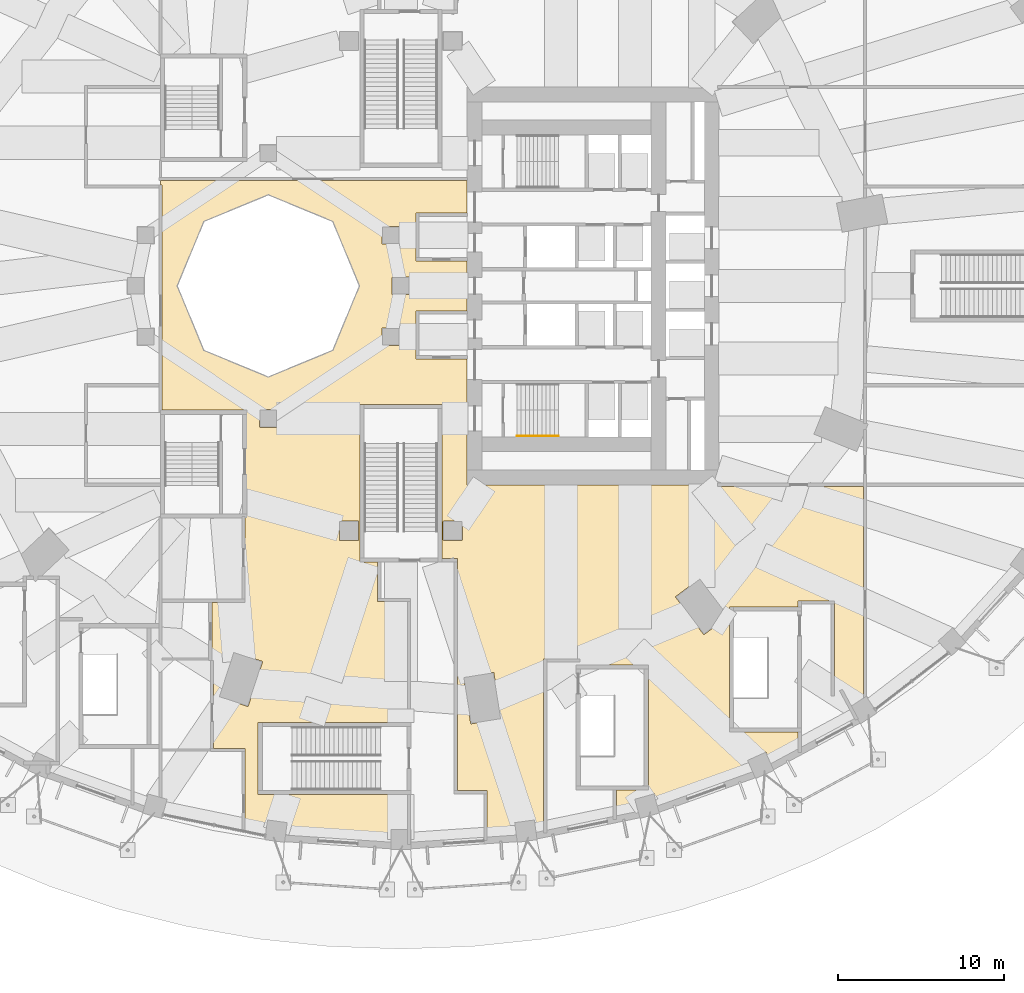
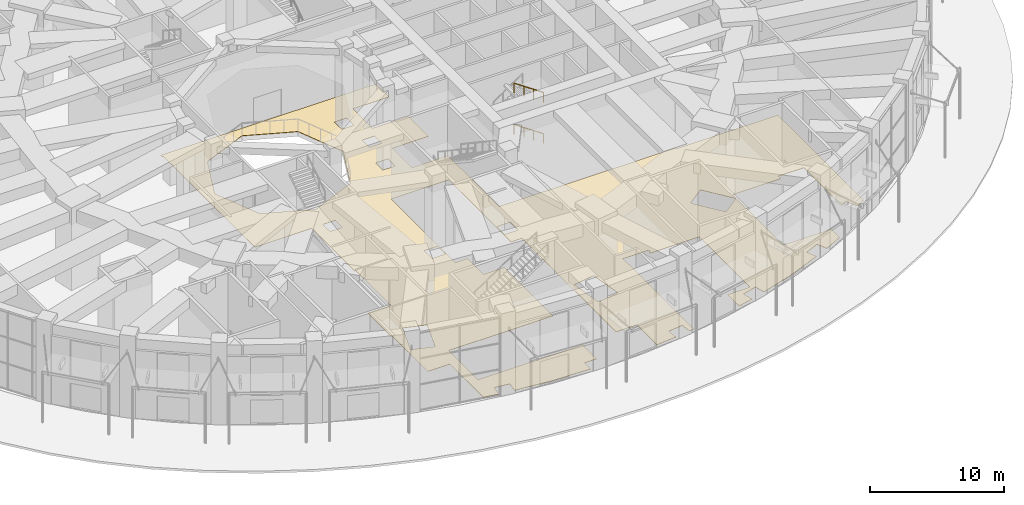
# One storey, part 53 of 60: 2 railings, 1 covering.
"""IFC4 building model written with IfcOpenShell, lengths in metres."""

from ifc_helpers import new_model, si_unit, direction, frame, origin, origin_2d, place, context, subcontext, project, spatial, polyline, circle, outline, extrude, material, layer, layer_set, type_object, element, save


model = new_model("IFC4")

# Units and contexts
model_context = context("Model", 3, precision=1e-05, world=origin(), true_north=direction((0.0, 1.0)))
body_context = subcontext(model_context, "Body", "Model", "MODEL_VIEW")
ifc_project = project(units=[si_unit("LENGTHUNIT", "METRE"), si_unit("AREAUNIT", "SQUARE_METRE"), si_unit("VOLUMEUNIT", "CUBIC_METRE"), si_unit("PLANEANGLEUNIT", "RADIAN"), si_unit("MASSUNIT", "GRAM", prefix="KILO")], contexts=[model_context])

# Site, building, storey
site_placement = place(None, origin())
site = spatial("IfcSite", under=ifc_project, at=site_placement, CompositionType="ELEMENT")
building_placement = place(site_placement, origin())
building = spatial("IfcBuilding", under=site, at=building_placement, Name="Taillehof Tower", CompositionType="ELEMENT")
storey_placement = place(building_placement, origin())
storey = spatial("IfcBuildingStorey", under=building, at=storey_placement, Name="L00", CompositionType="ELEMENT", Elevation=0.0)

# Covering
ifc_material_1 = material(Name="Terrazzo floor finish")
ifc_layer = layer(ifc_material_1, 0.030029296875)
ifc_layer_set = layer_set([ifc_layer], Name="Floor finish 30 mm")
covering_type = type_object("IfcCoveringType", Name="Floor finish 30 mm", PredefinedType="FLOORING", material=ifc_layer_set)
covering_placement = place(storey_placement, origin())
element("IfcCovering", 1, at=covering_placement, inside=storey, type_object=covering_type, Name="Floor finish L00-36", PredefinedType="FLOORING", context=body_context, shape_type="SweptSolid", body=[
    extrude(outline(polyline([(-3.806640625, -33.572021484375), (-6.94970703125, -33.253173828125), (-6.8310546875, -32.383056640625), (-6.830810546875, -32.380126953125), (-6.830810546875, -32.377197265625), (-6.831298828125, -32.374267578125), (-6.831787109375, -32.371337890625), (-6.832763671875, -32.36865234375), (-6.833740234375, -32.365966796875), (-6.835205078125, -32.36328125), (-6.8369140625, -32.36083984375), (-6.8388671875, -32.358642578125), (-6.8408203125, -32.356689453125), (-6.84326171875, -32.354736328125), (-6.845703125, -32.353271484375), (-6.848388671875, -32.351806640625), (-6.85107421875, -32.350830078125), (-6.853759765625, -32.349853515625), (-6.856689453125, -32.349365234375), (-8.0458984375, -32.187255859375), (-8.048828125, -32.18701171875), (-8.0517578125, -32.18701171875), (-8.0546875, -32.1875), (-8.057373046875, -32.18798828125), (-8.060302734375, -32.18896484375), (-8.06298828125, -32.190185546875), (-8.065673828125, -32.19140625), (-8.06787109375, -32.193115234375), (-8.0703125, -32.195068359375), (-8.072265625, -32.197265625), (-8.07421875, -32.199462890625), (-8.07568359375, -32.201904296875), (-8.0771484375, -32.20458984375), (-8.078125, -32.207275390625), (-8.0791015625, -32.210205078125), (-8.07958984375, -32.213134765625), (-8.1982421875, -33.083740234375), (-9.39990234375, -32.87841796875), (-9.39990234375, -28.10009765625), (-9.39990234375, -27.89990234375), (-11.300048828125, -27.89990234375), (-11.300048828125, -22.60009765625), (-11.39990234375, -22.60009765625), (-11.39990234375, -22.5), (-11.39990234375, -19.10009765625), (-9.39990234375, -19.10009765625), (-9.39990234375, -18.89990234375), (-9.39990234375, -13.89990234375), (-9.5, -13.89990234375), (-9.5, -7.5), (-14.39990234375, -7.5), (-14.39990234375, -6.10009765625), (-14.39990234375, 6.10009765625), (-14.5, 6.10009765625), (-14.5, 6.35009765625), (4.0, 6.35009765625), (4.0, 4.39990234375), (1.10009765625, 4.39990234375), (0.89990234375, 4.39990234375), (0.89990234375, 1.699951171875), (0.89990234375, 1.5), (4.0, 1.5), (4.0, -1.5), (1.10009765625, -1.5), (0.89990234375, -1.5), (0.89990234375, -4.199951171875), (0.89990234375, -4.39990234375), (4.0, -4.39990234375), (4.0, -12.0), (19.10009765625, -12.0), (19.10009765625, -12.10009765625), (27.89990234375, -12.10009765625), (27.89990234375, -24.8330078125), (27.16064453125, -25.3125), (26.633056640625, -24.333740234375), (26.544921875, -24.381103515625), (26.14990234375, -24.593994140625), (26.14990234375, -19.199951171875), (26.14990234375, -19.0), (24.14990234375, -19.0), (23.949951171875, -19.0), (23.949951171875, -19.375), (20.074951171875, -19.375), (19.824951171875, -19.375), (19.824951171875, -26.6650390625), (19.824951171875, -26.9150390625), (23.949951171875, -26.9150390625), (23.949951171875, -28.154296875), (22.387939453125, -28.921142578125), (22.031005859375, -28.12060546875), (22.029541015625, -28.117919921875), (22.028076171875, -28.115478515625), (22.026123046875, -28.11328125), (22.024169921875, -28.111083984375), (22.02197265625, -28.109130859375), (22.01953125, -28.107421875), (22.016845703125, -28.10595703125), (22.01416015625, -28.104736328125), (22.011474609375, -28.10400390625), (22.008544921875, -28.103271484375), (22.005615234375, -28.10302734375), (22.002685546875, -28.102783203125), (21.999755859375, -28.10302734375), (21.996826171875, -28.103515625), (21.993896484375, -28.1044921875), (21.9912109375, -28.10546875), (20.895263671875, -28.594482421875), (20.892822265625, -28.595703125), (20.890380859375, -28.59716796875), (20.887939453125, -28.59912109375), (20.8857421875, -28.60107421875), (20.8837890625, -28.603271484375), (20.88232421875, -28.605712890625), (20.880859375, -28.6083984375), (20.879638671875, -28.611083984375), (20.878662109375, -28.61376953125), (20.8779296875, -28.61669921875), (20.877685546875, -28.61962890625), (20.877685546875, -28.62255859375), (20.8779296875, -28.62548828125), (20.87841796875, -28.62841796875), (20.879150390625, -28.63134765625), (20.880126953125, -28.634033203125), (21.236328125, -29.432373046875), (18.4599609375, -30.546142578125), (15.525390625, -31.48291015625), (15.28759765625, -30.6376953125), (15.286865234375, -30.634765625), (15.28564453125, -30.632080078125), (15.2841796875, -30.629638671875), (15.282470703125, -30.627197265625), (15.280517578125, -30.625), (15.2783203125, -30.622802734375), (15.27587890625, -30.62109375), (15.2734375, -30.61962890625), (15.270751953125, -30.6181640625), (15.26806640625, -30.6171875), (15.265380859375, -30.616455078125), (15.262451171875, -30.615966796875), (15.259521484375, -30.61572265625), (15.256591796875, -30.61572265625), (15.253662109375, -30.6162109375), (15.250732421875, -30.61669921875), (14.095458984375, -30.941650390625), (14.0927734375, -30.942626953125), (14.090087890625, -30.94384765625), (14.08740234375, -30.9453125), (14.0849609375, -30.947021484375), (14.082763671875, -30.948974609375), (14.080810546875, -30.951171875), (14.0791015625, -30.953369140625), (14.077392578125, -30.955810546875), (14.076171875, -30.95849609375), (14.0751953125, -30.961181640625), (14.07421875, -30.964111328125), (14.07373046875, -30.967041015625), (14.07373046875, -30.969970703125), (14.07373046875, -30.972900390625), (14.07421875, -30.975830078125), (14.07470703125, -30.978759765625), (14.31201171875, -31.822265625), (12.99853515625, -32.1416015625), (12.99853515625, -30.4150390625), (14.925048828125, -30.4150390625), (14.925048828125, -30.1650390625), (14.925048828125, -23.125), (14.925048828125, -22.875), (10.699951171875, -22.875), (10.699951171875, -22.699951171875), (10.800048828125, -22.699951171875), (10.800048828125, -22.5), (8.800048828125, -22.5), (8.60009765625, -22.5), (8.60009765625, -33.01513671875), (8.1982421875, -33.083740234375), (8.07958984375, -32.213134765625), (8.0791015625, -32.210205078125), (8.078125, -32.207275390625), (8.0771484375, -32.20458984375), (8.07568359375, -32.201904296875), (8.07421875, -32.199462890625), (8.072265625, -32.197265625), (8.0703125, -32.195068359375), (8.06787109375, -32.193115234375), (8.065673828125, -32.19140625), (8.06298828125, -32.190185546875), (8.060302734375, -32.18896484375), (8.057373046875, -32.18798828125), (8.0546875, -32.1875), (8.0517578125, -32.18701171875), (8.048828125, -32.18701171875), (8.0458984375, -32.187255859375), (6.856689453125, -32.349365234375), (6.853759765625, -32.349853515625), (6.85107421875, -32.350830078125), (6.848388671875, -32.351806640625), (6.845703125, -32.353271484375), (6.84326171875, -32.354736328125), (6.8408203125, -32.356689453125), (6.8388671875, -32.358642578125), (6.8369140625, -32.36083984375), (6.835205078125, -32.36328125), (6.833740234375, -32.365966796875), (6.832763671875, -32.36865234375), (6.831787109375, -32.371337890625), (6.831298828125, -32.374267578125), (6.830810546875, -32.377197265625), (6.830810546875, -32.380126953125), (6.8310546875, -32.383056640625), (6.94970703125, -33.253173828125), (5.199951171875, -33.4306640625), (5.199951171875, -30.64990234375), (5.199951171875, -30.449951171875), (3.39990234375, -30.449951171875), (3.39990234375, -16.64501953125), (3.39990234375, -16.445068359375), (2.47509765625, -16.445068359375), (2.47509765625, -7.39990234375), (2.47509765625, -7.14990234375), (-2.22509765625, -7.14990234375), (-2.22509765625, -7.14990234375), (-2.47509765625, -7.14990234375), (-2.47509765625, -16.419921875), (-2.47509765625, -16.669921875), (-1.39990234375, -16.669921875), (-1.39990234375, -18.844970703125), (-1.39990234375, -19.044921875), (0.385009765625, -19.044921875), (0.385009765625, -26.324951171875), (-8.360107421875, -26.324951171875), (-8.610107421875, -26.324951171875), (-8.610107421875, -30.425048828125), (-8.610107421875, -30.675048828125), (0.385009765625, -30.675048828125), (0.385009765625, -32.77001953125), (-0.60009765625, -32.77001953125), (-0.60302734375, -32.770263671875), (-0.60595703125, -32.7705078125), (-0.608642578125, -32.771240234375), (-0.611572265625, -32.772216796875), (-0.6142578125, -32.7734375), (-0.61669921875, -32.775146484375), (-0.619140625, -32.77685546875), (-0.62109375, -32.77880859375), (-0.623291015625, -32.781005859375), (-0.625, -32.783447265625), (-0.62646484375, -32.785888671875), (-0.627685546875, -32.78857421875), (-0.628662109375, -32.791259765625), (-0.62939453125, -32.794189453125), (-0.6298828125, -32.797119140625), (-0.6298828125, -32.800048828125), (-0.6298828125, -33.678955078125), (-3.806640625, -33.572021484375)]), holes=[polyline([(-13.5, 0.0), (-11.88916015625, -3.88916015625), (-8.0, -5.5), (-4.11083984375, -3.88916015625), (-2.5, 0.0), (-4.11083984375, 3.88916015625), (-8.0, 5.5), (-11.88916015625, 3.88916015625), (-13.5, 0.0)]), polyline([(3.768798828125, -23.6171875), (3.768310546875, -23.619873046875), (3.76806640625, -23.622802734375), (3.76806640625, -23.6259765625), (3.768310546875, -23.62890625), (4.20556640625, -26.39453125), (4.2060546875, -26.397216796875), (4.20703125, -26.400146484375), (4.208251953125, -26.40283203125), (4.209716796875, -26.405517578125), (4.211181640625, -26.407958984375), (4.213134765625, -26.41015625), (4.21533203125, -26.412109375), (4.217529296875, -26.4140625), (4.219970703125, -26.41552734375), (4.22265625, -26.4169921875), (4.225341796875, -26.418212890625), (4.228271484375, -26.4189453125), (4.231201171875, -26.41943359375), (4.234130859375, -26.419677734375), (4.237060546875, -26.419677734375), (4.239990234375, -26.41943359375), (6.017822265625, -26.138427734375), (6.020751953125, -26.1376953125), (6.0234375, -26.13671875), (6.026123046875, -26.1357421875), (6.02880859375, -26.13427734375), (6.03125, -26.132568359375), (6.033447265625, -26.130615234375), (6.03564453125, -26.128662109375), (6.037353515625, -26.126220703125), (6.0390625, -26.123779296875), (6.040283203125, -26.121337890625), (6.04150390625, -26.118408203125), (6.042236328125, -26.11572265625), (6.042724609375, -26.11279296875), (6.043212890625, -26.10986328125), (6.04296875, -26.10693359375), (6.042724609375, -26.10400390625), (5.60546875, -23.33837890625), (5.60498046875, -23.33544921875), (5.60400390625, -23.332763671875), (5.60302734375, -23.329833984375), (5.6015625, -23.327392578125), (5.599853515625, -23.324951171875), (5.597900390625, -23.32275390625), (5.595947265625, -23.320556640625), (5.593505859375, -23.31884765625), (5.591064453125, -23.317138671875), (5.58837890625, -23.315673828125), (5.585693359375, -23.314697265625), (5.5830078125, -23.31396484375), (5.580078125, -23.313232421875), (5.5771484375, -23.31298828125), (5.57421875, -23.31298828125), (5.5712890625, -23.3134765625), (3.793212890625, -23.594482421875), (3.79052734375, -23.594970703125), (3.78759765625, -23.595947265625), (3.784912109375, -23.59716796875), (3.7822265625, -23.5986328125), (3.77978515625, -23.60009765625), (3.777587890625, -23.60205078125), (3.775634765625, -23.604248046875), (3.773681640625, -23.6064453125), (3.772216796875, -23.60888671875), (3.770751953125, -23.611572265625), (3.76953125, -23.6142578125), (3.768798828125, -23.6171875)]), polyline([(-10.106201171875, -22.09765625), (-10.10791015625, -22.099853515625), (-10.109619140625, -22.1025390625), (-10.11083984375, -22.10498046875), (-10.11181640625, -22.10791015625), (-10.98046875, -24.769775390625), (-10.981201171875, -24.7724609375), (-10.981689453125, -24.775390625), (-10.98193359375, -24.7783203125), (-10.98193359375, -24.78125), (-10.9814453125, -24.7841796875), (-10.98095703125, -24.787109375), (-10.97998046875, -24.789794921875), (-10.978759765625, -24.79248046875), (-10.977294921875, -24.795166015625), (-10.9755859375, -24.797607421875), (-10.9736328125, -24.7998046875), (-10.971435546875, -24.8017578125), (-10.96923828125, -24.803466796875), (-10.966552734375, -24.80517578125), (-10.964111328125, -24.806396484375), (-10.961181640625, -24.807373046875), (-9.25, -25.365966796875), (-9.247314453125, -25.36669921875), (-9.244384765625, -25.3671875), (-9.241455078125, -25.367431640625), (-9.238525390625, -25.3671875), (-9.235595703125, -25.366943359375), (-9.232666015625, -25.3662109375), (-9.22998046875, -25.365234375), (-9.227294921875, -25.364013671875), (-9.224609375, -25.362548828125), (-9.22216796875, -25.36083984375), (-9.219970703125, -25.359130859375), (-9.218017578125, -25.35693359375), (-9.21630859375, -25.3544921875), (-9.214599609375, -25.35205078125), (-9.21337890625, -25.349365234375), (-9.212158203125, -25.3466796875), (-8.34375, -22.684814453125), (-8.3427734375, -22.681884765625), (-8.34228515625, -22.678955078125), (-8.34228515625, -22.676025390625), (-8.34228515625, -22.673095703125), (-8.342529296875, -22.670166015625), (-8.34326171875, -22.66748046875), (-8.34423828125, -22.66455078125), (-8.345458984375, -22.661865234375), (-8.346923828125, -22.659423828125), (-8.3486328125, -22.656982421875), (-8.3505859375, -22.65478515625), (-8.3525390625, -22.65283203125), (-8.35498046875, -22.65087890625), (-8.357421875, -22.6494140625), (-8.360107421875, -22.64794921875), (-8.36279296875, -22.64697265625), (-10.073974609375, -22.088623046875), (-10.076904296875, -22.087890625), (-10.079833984375, -22.08740234375), (-10.082763671875, -22.087158203125), (-10.085693359375, -22.087158203125), (-10.088623046875, -22.087646484375), (-10.091552734375, -22.088134765625), (-10.09423828125, -22.089111328125), (-10.096923828125, -22.09033203125), (-10.099609375, -22.091796875), (-10.101806640625, -22.093505859375), (-10.10400390625, -22.095458984375), (-10.106201171875, -22.09765625)]), polyline([(2.564208984375, -15.349853515625), (2.56689453125, -15.350830078125), (2.56982421875, -15.3515625), (2.57275390625, -15.35205078125), (2.57568359375, -15.35205078125), (3.67578125, -15.35205078125), (3.6787109375, -15.35205078125), (3.681640625, -15.3515625), (3.684326171875, -15.350830078125), (3.687255859375, -15.349853515625), (3.689697265625, -15.3486328125), (3.6923828125, -15.34716796875), (3.694580078125, -15.34521484375), (3.69677734375, -15.34326171875), (3.698974609375, -15.341064453125), (3.70068359375, -15.3388671875), (3.7021484375, -15.336181640625), (3.703369140625, -15.33349609375), (3.704345703125, -15.330810546875), (3.705078125, -15.327880859375), (3.70556640625, -15.324951171875), (3.70556640625, -15.322021484375), (3.70556640625, -14.22216796875), (3.70556640625, -14.21923828125), (3.705078125, -14.21630859375), (3.704345703125, -14.21337890625), (3.703369140625, -14.210693359375), (3.7021484375, -14.2080078125), (3.70068359375, -14.20556640625), (3.698974609375, -14.203125), (3.69677734375, -14.200927734375), (3.694580078125, -14.198974609375), (3.6923828125, -14.197265625), (3.689697265625, -14.195556640625), (3.687255859375, -14.1943359375), (3.684326171875, -14.193359375), (3.681640625, -14.192626953125), (3.6787109375, -14.1923828125), (3.67578125, -14.192138671875), (2.57568359375, -14.192138671875), (2.57275390625, -14.1923828125), (2.56982421875, -14.192626953125), (2.56689453125, -14.193359375), (2.564208984375, -14.1943359375), (2.5615234375, -14.195556640625), (2.55908203125, -14.197265625), (2.556640625, -14.198974609375), (2.554443359375, -14.200927734375), (2.552490234375, -14.203125), (2.55078125, -14.20556640625), (2.54931640625, -14.2080078125), (2.5478515625, -14.210693359375), (2.546875, -14.21337890625), (2.546142578125, -14.21630859375), (2.5458984375, -14.21923828125), (2.545654296875, -14.22216796875), (2.545654296875, -15.322021484375), (2.5458984375, -15.324951171875), (2.546142578125, -15.327880859375), (2.546875, -15.330810546875), (2.5478515625, -15.33349609375), (2.54931640625, -15.336181640625), (2.55078125, -15.3388671875), (2.552490234375, -15.341064453125), (2.554443359375, -15.34326171875), (2.556640625, -15.34521484375), (2.55908203125, -15.34716796875), (2.5615234375, -15.3486328125), (2.564208984375, -15.349853515625)]), polyline([(-3.687255859375, -15.349853515625), (-3.684326171875, -15.350830078125), (-3.681640625, -15.3515625), (-3.6787109375, -15.35205078125), (-3.67578125, -15.35205078125), (-2.57568359375, -15.35205078125), (-2.57275390625, -15.35205078125), (-2.56982421875, -15.3515625), (-2.56689453125, -15.350830078125), (-2.564208984375, -15.349853515625), (-2.5615234375, -15.3486328125), (-2.55908203125, -15.34716796875), (-2.556640625, -15.34521484375), (-2.554443359375, -15.34326171875), (-2.552490234375, -15.341064453125), (-2.55078125, -15.3388671875), (-2.54931640625, -15.336181640625), (-2.5478515625, -15.33349609375), (-2.546875, -15.330810546875), (-2.546142578125, -15.327880859375), (-2.5458984375, -15.324951171875), (-2.545654296875, -15.322021484375), (-2.545654296875, -14.22216796875), (-2.5458984375, -14.21923828125), (-2.546142578125, -14.21630859375), (-2.546875, -14.21337890625), (-2.5478515625, -14.210693359375), (-2.54931640625, -14.2080078125), (-2.55078125, -14.20556640625), (-2.552490234375, -14.203125), (-2.554443359375, -14.200927734375), (-2.556640625, -14.198974609375), (-2.55908203125, -14.197265625), (-2.5615234375, -14.195556640625), (-2.564208984375, -14.1943359375), (-2.56689453125, -14.193359375), (-2.56982421875, -14.192626953125), (-2.57275390625, -14.1923828125), (-2.57568359375, -14.192138671875), (-3.67578125, -14.192138671875), (-3.6787109375, -14.1923828125), (-3.681640625, -14.192626953125), (-3.684326171875, -14.193359375), (-3.687255859375, -14.1943359375), (-3.689697265625, -14.195556640625), (-3.6923828125, -14.197265625), (-3.694580078125, -14.198974609375), (-3.69677734375, -14.200927734375), (-3.698974609375, -14.203125), (-3.70068359375, -14.20556640625), (-3.7021484375, -14.2080078125), (-3.703369140625, -14.210693359375), (-3.704345703125, -14.21337890625), (-3.705078125, -14.21630859375), (-3.70556640625, -14.21923828125), (-3.70556640625, -14.22216796875), (-3.70556640625, -15.322021484375), (-3.70556640625, -15.324951171875), (-3.705078125, -15.327880859375), (-3.704345703125, -15.330810546875), (-3.703369140625, -15.33349609375), (-3.7021484375, -15.336181640625), (-3.70068359375, -15.3388671875), (-3.698974609375, -15.341064453125), (-3.69677734375, -15.34326171875), (-3.694580078125, -15.34521484375), (-3.6923828125, -15.34716796875), (-3.689697265625, -15.3486328125), (-3.687255859375, -15.349853515625)]), polyline([(-8.511474609375, -8.52783203125), (-8.5087890625, -8.52880859375), (-8.505859375, -8.529541015625), (-8.5029296875, -8.52978515625), (-8.5, -8.530029296875), (-7.5, -8.530029296875), (-7.4970703125, -8.52978515625), (-7.494140625, -8.529541015625), (-7.4912109375, -8.52880859375), (-7.488525390625, -8.52783203125), (-7.48583984375, -8.5263671875), (-7.4833984375, -8.52490234375), (-7.48095703125, -8.523193359375), (-7.478759765625, -8.521240234375), (-7.476806640625, -8.51904296875), (-7.47509765625, -8.5166015625), (-7.4736328125, -8.51416015625), (-7.47216796875, -8.511474609375), (-7.47119140625, -8.5087890625), (-7.470458984375, -8.505859375), (-7.47021484375, -8.5029296875), (-7.469970703125, -8.5), (-7.469970703125, -7.5), (-7.47021484375, -7.4970703125), (-7.470458984375, -7.494140625), (-7.47119140625, -7.4912109375), (-7.47216796875, -7.488525390625), (-7.4736328125, -7.48583984375), (-7.47509765625, -7.4833984375), (-7.476806640625, -7.48095703125), (-7.478759765625, -7.478759765625), (-7.48095703125, -7.476806640625), (-7.4833984375, -7.47509765625), (-7.48583984375, -7.4736328125), (-7.488525390625, -7.47216796875), (-7.4912109375, -7.47119140625), (-7.494140625, -7.470458984375), (-7.4970703125, -7.47021484375), (-7.5, -7.469970703125), (-8.5, -7.469970703125), (-8.5029296875, -7.47021484375), (-8.505859375, -7.470458984375), (-8.5087890625, -7.47119140625), (-8.511474609375, -7.47216796875), (-8.51416015625, -7.4736328125), (-8.5166015625, -7.47509765625), (-8.51904296875, -7.476806640625), (-8.521240234375, -7.478759765625), (-8.523193359375, -7.48095703125), (-8.52490234375, -7.4833984375), (-8.5263671875, -7.48583984375), (-8.52783203125, -7.488525390625), (-8.52880859375, -7.4912109375), (-8.529541015625, -7.494140625), (-8.52978515625, -7.4970703125), (-8.530029296875, -7.5), (-8.530029296875, -8.5), (-8.52978515625, -8.5029296875), (-8.529541015625, -8.505859375), (-8.52880859375, -8.5087890625), (-8.52783203125, -8.511474609375), (-8.5263671875, -8.51416015625), (-8.52490234375, -8.5166015625), (-8.523193359375, -8.51904296875), (-8.521240234375, -8.521240234375), (-8.51904296875, -8.523193359375), (-8.5166015625, -8.52490234375), (-8.51416015625, -8.5263671875), (-8.511474609375, -8.52783203125)]), polyline([(-1.120361328125, -3.589111328125), (-1.11767578125, -3.590087890625), (-1.11474609375, -3.5908203125), (-1.11181640625, -3.59130859375), (-1.10888671875, -3.591552734375), (-0.10888671875, -3.591552734375), (-0.10595703125, -3.59130859375), (-0.10302734375, -3.5908203125), (-0.100341796875, -3.590087890625), (-0.097412109375, -3.589111328125), (-0.0947265625, -3.587890625), (-0.09228515625, -3.58642578125), (-0.08984375, -3.584716796875), (-0.087646484375, -3.582763671875), (-0.085693359375, -3.58056640625), (-0.083984375, -3.578125), (-0.08251953125, -3.57568359375), (-0.081298828125, -3.572998046875), (-0.080322265625, -3.570068359375), (-0.07958984375, -3.5673828125), (-0.0791015625, -3.564453125), (-0.078857421875, -3.5615234375), (-0.078857421875, -2.5615234375), (-0.0791015625, -2.55859375), (-0.07958984375, -2.5556640625), (-0.080322265625, -2.552734375), (-0.081298828125, -2.550048828125), (-0.08251953125, -2.54736328125), (-0.083984375, -2.544921875), (-0.085693359375, -2.54248046875), (-0.087646484375, -2.540283203125), (-0.08984375, -2.538330078125), (-0.09228515625, -2.53662109375), (-0.0947265625, -2.534912109375), (-0.097412109375, -2.53369140625), (-0.100341796875, -2.53271484375), (-0.10302734375, -2.531982421875), (-0.10595703125, -2.531494140625), (-0.10888671875, -2.531494140625), (-1.10888671875, -2.531494140625), (-1.11181640625, -2.531494140625), (-1.11474609375, -2.531982421875), (-1.11767578125, -2.53271484375), (-1.120361328125, -2.53369140625), (-1.123046875, -2.534912109375), (-1.125732421875, -2.53662109375), (-1.1279296875, -2.538330078125), (-1.130126953125, -2.540283203125), (-1.132080078125, -2.54248046875), (-1.1337890625, -2.544921875), (-1.135498046875, -2.54736328125), (-1.13671875, -2.550048828125), (-1.1376953125, -2.552734375), (-1.138427734375, -2.5556640625), (-1.138916015625, -2.55859375), (-1.138916015625, -2.5615234375), (-1.138916015625, -3.5615234375), (-1.138916015625, -3.564453125), (-1.138427734375, -3.5673828125), (-1.1376953125, -3.570068359375), (-1.13671875, -3.572998046875), (-1.135498046875, -3.57568359375), (-1.1337890625, -3.578125), (-1.132080078125, -3.58056640625), (-1.130126953125, -3.582763671875), (-1.1279296875, -3.584716796875), (-1.125732421875, -3.58642578125), (-1.123046875, -3.587890625), (-1.120361328125, -3.589111328125)]), polyline([(-0.51416015625, -0.5263671875), (-0.511474609375, -0.52783203125), (-0.5087890625, -0.52880859375), (-0.505859375, -0.529541015625), (-0.5029296875, -0.52978515625), (-0.5, -0.530029296875), (0.5, -0.530029296875), (0.5029296875, -0.52978515625), (0.505859375, -0.529541015625), (0.5087890625, -0.52880859375), (0.511474609375, -0.52783203125), (0.51416015625, -0.5263671875), (0.5166015625, -0.52490234375), (0.51904296875, -0.523193359375), (0.521240234375, -0.521240234375), (0.523193359375, -0.51904296875), (0.52490234375, -0.5166015625), (0.5263671875, -0.51416015625), (0.52783203125, -0.511474609375), (0.52880859375, -0.5087890625), (0.529541015625, -0.505859375), (0.52978515625, -0.5029296875), (0.530029296875, -0.5), (0.530029296875, 0.5), (0.52978515625, 0.5029296875), (0.529541015625, 0.505859375), (0.52880859375, 0.5087890625), (0.52783203125, 0.511474609375), (0.5263671875, 0.51416015625), (0.52490234375, 0.5166015625), (0.523193359375, 0.51904296875), (0.521240234375, 0.521240234375), (0.51904296875, 0.523193359375), (0.5166015625, 0.52490234375), (0.51416015625, 0.5263671875), (0.511474609375, 0.52783203125), (0.5087890625, 0.52880859375), (0.505859375, 0.529541015625), (0.5029296875, 0.52978515625), (0.5, 0.530029296875), (-0.5, 0.530029296875), (-0.5029296875, 0.52978515625), (-0.505859375, 0.529541015625), (-0.5087890625, 0.52880859375), (-0.511474609375, 0.52783203125), (-0.51416015625, 0.5263671875), (-0.5166015625, 0.52490234375), (-0.51904296875, 0.523193359375), (-0.521240234375, 0.521240234375), (-0.523193359375, 0.51904296875), (-0.52490234375, 0.5166015625), (-0.5263671875, 0.51416015625), (-0.52783203125, 0.511474609375), (-0.52880859375, 0.5087890625), (-0.529541015625, 0.505859375), (-0.52978515625, 0.5029296875), (-0.530029296875, 0.5), (-0.530029296875, -0.5), (-0.52978515625, -0.5029296875), (-0.529541015625, -0.505859375), (-0.52880859375, -0.5087890625), (-0.52783203125, -0.511474609375), (-0.5263671875, -0.51416015625), (-0.52490234375, -0.5166015625), (-0.523193359375, -0.51904296875), (-0.521240234375, -0.521240234375), (-0.51904296875, -0.523193359375), (-0.5166015625, -0.52490234375), (-0.51416015625, -0.5263671875)]), polyline([(-1.120361328125, 2.53369140625), (-1.11767578125, 2.53271484375), (-1.11474609375, 2.531982421875), (-1.11181640625, 2.531494140625), (-1.10888671875, 2.531494140625), (-0.10888671875, 2.531494140625), (-0.10595703125, 2.531494140625), (-0.10302734375, 2.531982421875), (-0.100341796875, 2.53271484375), (-0.097412109375, 2.53369140625), (-0.0947265625, 2.534912109375), (-0.09228515625, 2.53662109375), (-0.08984375, 2.538330078125), (-0.087646484375, 2.540283203125), (-0.085693359375, 2.54248046875), (-0.083984375, 2.544921875), (-0.08251953125, 2.54736328125), (-0.081298828125, 2.550048828125), (-0.080322265625, 2.552734375), (-0.07958984375, 2.5556640625), (-0.0791015625, 2.55859375), (-0.078857421875, 2.5615234375), (-0.078857421875, 3.5615234375), (-0.0791015625, 3.564453125), (-0.07958984375, 3.5673828125), (-0.080322265625, 3.570068359375), (-0.081298828125, 3.572998046875), (-0.08251953125, 3.57568359375), (-0.083984375, 3.578125), (-0.085693359375, 3.58056640625), (-0.087646484375, 3.582763671875), (-0.08984375, 3.584716796875), (-0.09228515625, 3.58642578125), (-0.0947265625, 3.587890625), (-0.097412109375, 3.589111328125), (-0.100341796875, 3.590087890625), (-0.10302734375, 3.5908203125), (-0.10595703125, 3.59130859375), (-0.10888671875, 3.591552734375), (-1.10888671875, 3.591552734375), (-1.11181640625, 3.59130859375), (-1.11474609375, 3.5908203125), (-1.11767578125, 3.590087890625), (-1.120361328125, 3.589111328125), (-1.123046875, 3.587890625), (-1.125732421875, 3.58642578125), (-1.1279296875, 3.584716796875), (-1.130126953125, 3.582763671875), (-1.132080078125, 3.58056640625), (-1.1337890625, 3.578125), (-1.135498046875, 3.57568359375), (-1.13671875, 3.572998046875), (-1.1376953125, 3.570068359375), (-1.138427734375, 3.5673828125), (-1.138916015625, 3.564453125), (-1.138916015625, 3.5615234375), (-1.138916015625, 2.5615234375), (-1.138916015625, 2.55859375), (-1.138427734375, 2.5556640625), (-1.1376953125, 2.552734375), (-1.13671875, 2.550048828125), (-1.135498046875, 2.54736328125), (-1.1337890625, 2.544921875), (-1.132080078125, 2.54248046875), (-1.130126953125, 2.540283203125), (-1.1279296875, 2.538330078125), (-1.125732421875, 2.53662109375), (-1.123046875, 2.534912109375), (-1.120361328125, 2.53369140625)]), polyline([(16.56884765625, -18.7724609375), (16.56982421875, -18.775146484375), (16.57080078125, -18.77783203125), (16.572265625, -18.780517578125), (16.573974609375, -18.782958984375), (18.25732421875, -21.0205078125), (18.259033203125, -21.022705078125), (18.26123046875, -21.02490234375), (18.263427734375, -21.026611328125), (18.265869140625, -21.0283203125), (18.2685546875, -21.029541015625), (18.271240234375, -21.03076171875), (18.274169921875, -21.031494140625), (18.277099609375, -21.0322265625), (18.280029296875, -21.032470703125), (18.282958984375, -21.032470703125), (18.285888671875, -21.031982421875), (18.28857421875, -21.031494140625), (18.29150390625, -21.030517578125), (18.294189453125, -21.029541015625), (18.296875, -21.028076171875), (18.29931640625, -21.0263671875), (19.737548828125, -19.9443359375), (19.739990234375, -19.9423828125), (19.741943359375, -19.9404296875), (19.743896484375, -19.93798828125), (19.745361328125, -19.935546875), (19.746826171875, -19.932861328125), (19.747802734375, -19.93017578125), (19.748779296875, -19.927490234375), (19.749267578125, -19.924560546875), (19.74951171875, -19.921630859375), (19.74951171875, -19.918701171875), (19.749267578125, -19.915771484375), (19.74853515625, -19.912841796875), (19.747802734375, -19.909912109375), (19.74658203125, -19.9072265625), (19.7451171875, -19.90478515625), (19.74365234375, -19.90234375), (18.060302734375, -17.664794921875), (18.058349609375, -17.66259765625), (18.056396484375, -17.660400390625), (18.053955078125, -17.65869140625), (18.051513671875, -17.656982421875), (18.049072265625, -17.655517578125), (18.046142578125, -17.654541015625), (18.04345703125, -17.653564453125), (18.04052734375, -17.653076171875), (18.03759765625, -17.65283203125), (18.03466796875, -17.65283203125), (18.03173828125, -17.653076171875), (18.02880859375, -17.65380859375), (18.026123046875, -17.654541015625), (18.023193359375, -17.65576171875), (18.020751953125, -17.6572265625), (18.018310546875, -17.658935546875), (16.579833984375, -18.740966796875), (16.57763671875, -18.742919921875), (16.575439453125, -18.744873046875), (16.57373046875, -18.747314453125), (16.572021484375, -18.749755859375), (16.57080078125, -18.752197265625), (16.569580078125, -18.7548828125), (16.56884765625, -18.7578125), (16.568115234375, -18.7607421875), (16.56787109375, -18.763671875), (16.56787109375, -18.7666015625), (16.568359375, -18.76953125), (16.56884765625, -18.7724609375)])]), origin(), (0.0, 0.0, 1.0), 0.030029296875),
])

# Railings
ifc_material_2 = material(Name="Stainless steel", Category="steel")
railing_type = type_object("IfcRailingType", Name="Stair handrail 900", PredefinedType="HANDRAIL", material=ifc_material_2)
for number, where, name in (
    (2, (9.5, -9.050048828125, 2.04541015625), "Stair S2 handrail"),
    (3, (9.5, -9.050048828125, 5.79541015625), "Stair S2 handrail"),
):
    element("IfcRailing", number, at=place(storey_placement, frame(where)), inside=storey, type_object=railing_type, Name=name, PredefinedType="HANDRAIL", context=body_context, shape_type="SweptSolid", body=[
        extrude(circle(Radius=0.02392578125, at=origin_2d()), frame((0.0, 0.0, 0.8759765625), z_axis=(-0.826220514629, 0.0, 0.563346839174), x_axis=(0.0, -1.0, 0.0)), (0.0, 0.0, 1.0), 3.02587890625),
        extrude(circle(Radius=0.02099609375, at=origin_2d()), origin(), (0.0, 0.0, 1.0), 0.851806640625),
        extrude(circle(Radius=0.02099609375, at=origin_2d()), frame((-0.833251953125, 0.0, 0.568115234375)), (0.0, 0.0, 1.0), 0.851806640625),
        extrude(circle(Radius=0.02099609375, at=origin_2d()), frame((-1.666748046875, 0.0, 1.136474609375)), (0.0, 0.0, 1.0), 0.851806640625),
        extrude(circle(Radius=0.02099609375, at=origin_2d()), frame((-2.5, 0.0, 1.70458984375)), (0.0, 0.0, 1.0), 0.851806640625),
    ])

save(model, "model.ifc")
